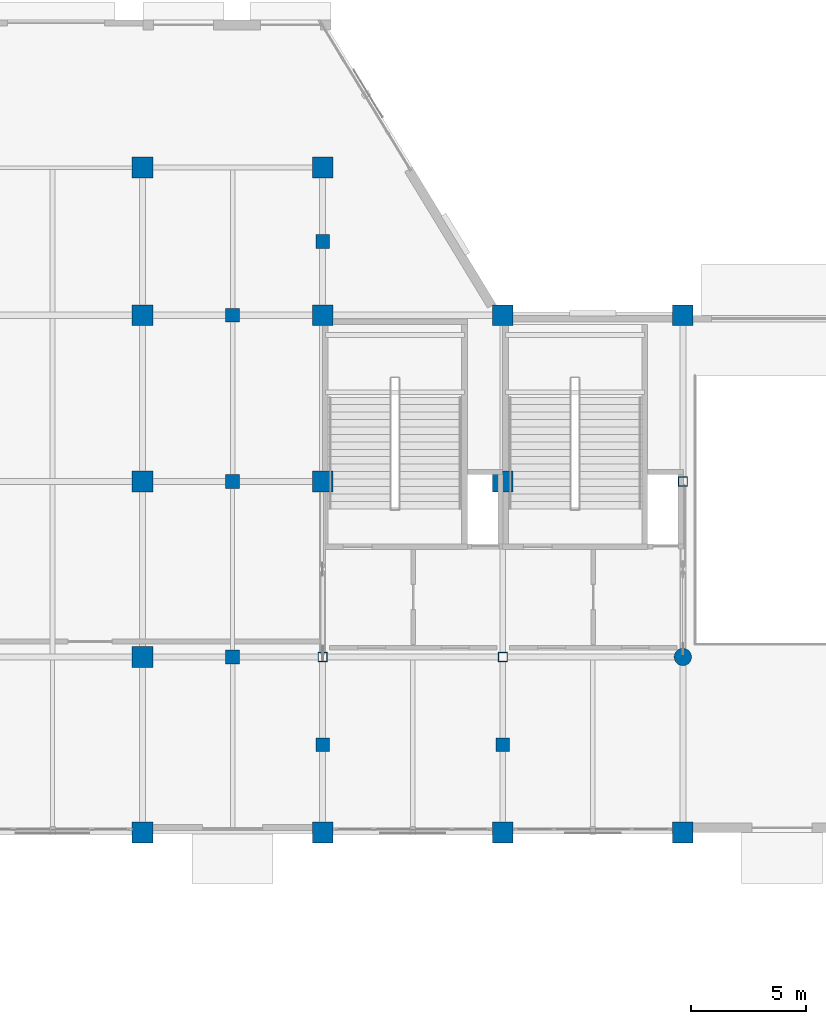
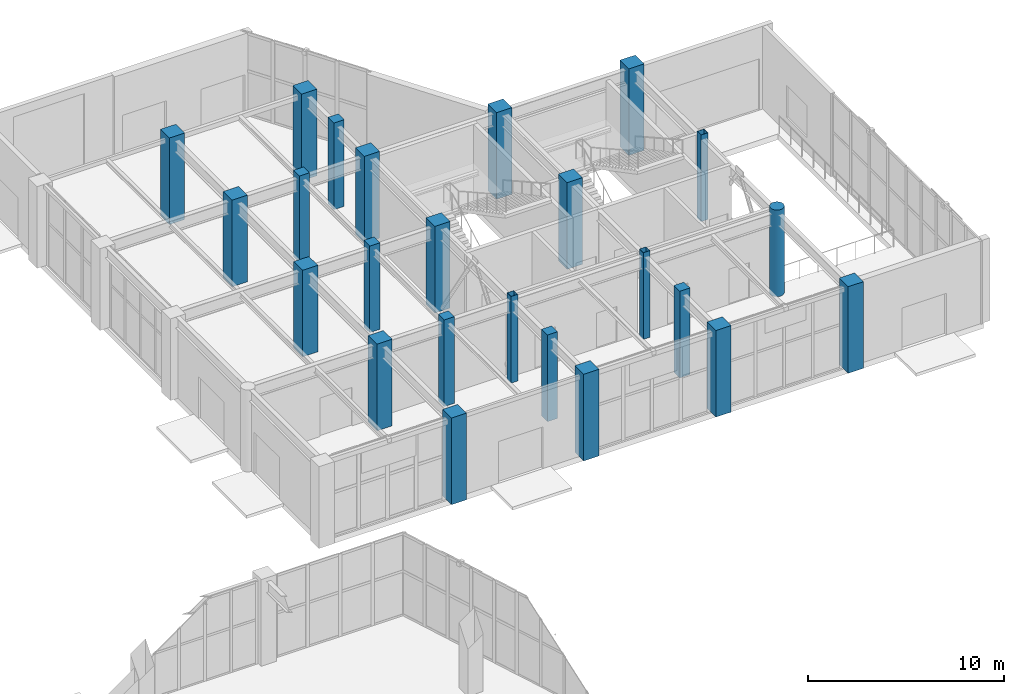
# One storey, part 8 of 139: 24 columns.
"""IFC4 building model written with IfcOpenShell, lengths in metres."""

from ifc_helpers import new_model, si_unit, direction, frame, origin, origin_2d, place, context, subcontext, project, spatial, rectangle, hollow_rectangle, circle, extrude, material, material_profile, profile_set, type_object, element, save


model = new_model("IFC4")

# Units and contexts
model_context = context("Model", 3, precision=1e-05, world=origin(), true_north=direction((0.0, 1.0)))
body_context = subcontext(model_context, "Body", "Model", "MODEL_VIEW")
ifc_project = project(units=[si_unit("LENGTHUNIT", "METRE"), si_unit("AREAUNIT", "SQUARE_METRE"), si_unit("VOLUMEUNIT", "CUBIC_METRE"), si_unit("PLANEANGLEUNIT", "RADIAN"), si_unit("MASSUNIT", "GRAM", prefix="KILO")], contexts=[model_context])

# Site, building, storey
site_placement = place(None, origin())
site = spatial("IfcSite", under=ifc_project, at=site_placement, CompositionType="ELEMENT")
building_placement = place(site_placement, origin())
building = spatial("IfcBuilding", under=site, at=building_placement, Name="Xicomal Pleat Aquarium", CompositionType="ELEMENT")
storey_placement = place(building_placement, origin())
storey = spatial("IfcBuildingStorey", under=building, at=storey_placement, Name="L01", CompositionType="ELEMENT", Elevation=0.0)

# Columns
ifc_material_1 = material(Name="Concrete C40/50", Category="concrete")
ifc_material_profile_1 = material_profile(ifc_material_1, rectangle(XDim=0.60009765625, YDim=0.60009765625, at=origin_2d()), Name="RC 600x600")
ifc_profile_set_1 = profile_set([ifc_material_profile_1], Name="Concrete C40/50")
column_type_1 = type_object("IfcColumnType", Name="COL-RC-600x600", PredefinedType="COLUMN", material=ifc_profile_set_1)
for number, where, z_axis, x_axis, name in (
    (1, (137.699951171875, 83.60009765625, 0.0), (0.0, 0.0, 1.0), (1.0, 0.0, 0.0), "L01 intermediate support column SUB-27"),
    (2, (137.699951171875, 91.199951171875, 0.0), (0.0, 0.0, 1.0), (1.0, 0.0, 0.0), "L01 intermediate support column SUB-28"),
    (3, (137.699951171875, 98.39990234375, 0.0), (0.0, 0.0, 1.0), (1.0, 0.0, 0.0), "L01 intermediate support column SUB-29"),
    (4, (141.60009765625, 79.800048828125, 0.0), (0.0, 0.0, 1.0), (1.0, 0.0, 0.0), "L01 intermediate support column SUB-63"),
    (5, (141.60009765625, 101.60009765625, 0.0), (0.0, 0.0, 1.0), (1.0, 0.0, 0.0), "L01 intermediate support column SUB-64"),
    (6, (149.39990234375, 79.800048828125, 0.0), (0.0, 0.0, 1.0), (1.0, 0.0, 0.0), "L01 intermediate support column SUB-65"),
):
    element("IfcColumn", number, at=place(storey_placement, frame(where, z_axis=z_axis, x_axis=x_axis)), inside=storey, type_object=column_type_1, Name=name, PredefinedType="COLUMN", context=body_context, shape_type="SweptSolid", body=[
        extrude(rectangle(XDim=0.60009765625, YDim=0.60009765625, at=origin_2d()), origin(), (0.0, 0.0, 1.0), 5.39990234375),
    ])
ifc_material_2 = material(Name="Concrete C40/50", Category="concrete")
ifc_material_profile_2 = material_profile(ifc_material_2, rectangle(XDim=0.89990234375, YDim=0.89990234375, at=origin_2d()), Name="RC 900x900")
ifc_profile_set_2 = profile_set([ifc_material_profile_2], Name="Concrete C40/50")
column_type_2 = type_object("IfcColumnType", Name="COL-RC-900x900", PredefinedType="COLUMN", material=ifc_profile_set_2)
for number, where, z_axis, x_axis, name in (
    (7, (133.800048828125, 76.0, 0.0), (0.0, 0.0, 1.0), (1.0, 0.0, 0.0), "L01 column 17/L"),
    (8, (133.800048828125, 83.60009765625, 0.0), (0.0, 0.0, 1.0), (1.0, 0.0, 0.0), "L01 column 17/M"),
    (9, (133.800048828125, 91.199951171875, 0.0), (0.0, 0.0, 1.0), (1.0, 0.0, 0.0), "L01 column 17/N"),
    (10, (133.800048828125, 98.39990234375, 0.0), (0.0, 0.0, 1.0), (1.0, 0.0, 0.0), "L01 column 17/P"),
    (11, (133.800048828125, 104.800048828125, 0.0), (0.0, 0.0, 1.0), (1.0, 0.0, 0.0), "L01 column 17/Q"),
    (12, (141.60009765625, 76.0, 0.0), (0.0, 0.0, 1.0), (1.0, 0.0, 0.0), "L01 column 18/L"),
    (13, (141.60009765625, 91.199951171875, 0.0), (0.0, 0.0, 1.0), (1.0, 0.0, 0.0), "L01 column 18/N"),
    (14, (141.60009765625, 98.39990234375, 0.0), (0.0, 0.0, 1.0), (1.0, 0.0, 0.0), "L01 column 18/P"),
    (15, (141.60009765625, 104.800048828125, 0.0), (0.0, 0.0, 1.0), (1.0, 0.0, 0.0), "L01 column 18/Q"),
    (16, (149.39990234375, 76.0, 0.0), (0.0, 0.0, 1.0), (1.0, 0.0, 0.0), "L01 column 19/L"),
    (17, (149.39990234375, 91.199951171875, 0.0), (0.0, 0.0, 1.0), (1.0, 0.0, 0.0), "L01 column 19/N"),
    (18, (149.39990234375, 98.39990234375, 0.0), (0.0, 0.0, 1.0), (1.0, 0.0, 0.0), "L01 column 19/P"),
    (19, (157.199951171875, 76.0, 0.0), (0.0, 0.0, 1.0), (1.0, 0.0, 0.0), "L01 column 20/L"),
    (20, (157.199951171875, 98.39990234375, 0.0), (0.0, 0.0, 1.0), (1.0, 0.0, 0.0), "L01 column 20/P"),
):
    element("IfcColumn", number, at=place(storey_placement, frame(where, z_axis=z_axis, x_axis=x_axis)), inside=storey, type_object=column_type_2, Name=name, PredefinedType="COLUMN", context=body_context, shape_type="SweptSolid", body=[
        extrude(rectangle(XDim=0.89990234375, YDim=0.89990234375, at=origin_2d()), origin(), (0.0, 0.0, 1.0), 5.39990234375),
    ])
ifc_material_3 = material(Name="Concrete C40/50", Category="concrete")
ifc_material_profile_3 = material_profile(ifc_material_3, circle(Radius=0.375, at=origin_2d()), Name="RCC D750")
ifc_profile_set_3 = profile_set([ifc_material_profile_3], Name="Concrete C40/50")
column_type_3 = type_object("IfcColumnType", Name="COL-RCC-D750", PredefinedType="COLUMN", material=ifc_profile_set_3)
column_placement = place(storey_placement, frame((157.199951171875, 83.60009765625, 0.0), z_axis=(0.0, 0.0, 1.0), x_axis=(1.0, 0.0, 0.0)))
element("IfcColumn", 21, at=column_placement, inside=storey, type_object=column_type_3, Name="L01 column 20/M", PredefinedType="COLUMN", context=body_context, shape_type="SweptSolid", body=[
    extrude(circle(Radius=0.375, at=origin_2d()), origin(), (0.0, 0.0, 1.0), 5.39990234375),
])
ifc_material_4 = material(Name="Structural steel A500 Gr C", Category="steel")
ifc_material_profile_4 = material_profile(ifc_material_4, hollow_rectangle(XDim=0.39990234375, YDim=0.39990234375, WallThickness=0.01611328125, at=origin_2d()), Name="OR 400x400x16")
ifc_profile_set_4 = profile_set([ifc_material_profile_4], Name="Structural steel A500 Gr C")
column_type_4 = type_object("IfcColumnType", Name="COL-STL-OR400", PredefinedType="COLUMN", material=ifc_profile_set_4)
for number, where, z_axis, x_axis, name in (
    (22, (141.60009765625, 83.60009765625, 0.0), (0.0, 0.0, 1.0), (1.0, 0.0, 0.0), "L01 column 18/M"),
    (23, (149.39990234375, 83.60009765625, 0.0), (0.0, 0.0, 1.0), (1.0, 0.0, 0.0), "L01 column 19/M"),
    (24, (157.199951171875, 91.199951171875, 0.0), (0.0, 0.0, 1.0), (1.0, 0.0, 0.0), "L01 column 20/N"),
):
    element("IfcColumn", number, at=place(storey_placement, frame(where, z_axis=z_axis, x_axis=x_axis)), inside=storey, type_object=column_type_4, Name=name, PredefinedType="COLUMN", context=body_context, shape_type="SweptSolid", body=[
        extrude(hollow_rectangle(XDim=0.39990234375, YDim=0.39990234375, WallThickness=0.01611328125, at=origin_2d()), origin(), (0.0, 0.0, 1.0), 5.39990234375),
    ])

save(model, "model.ifc")
